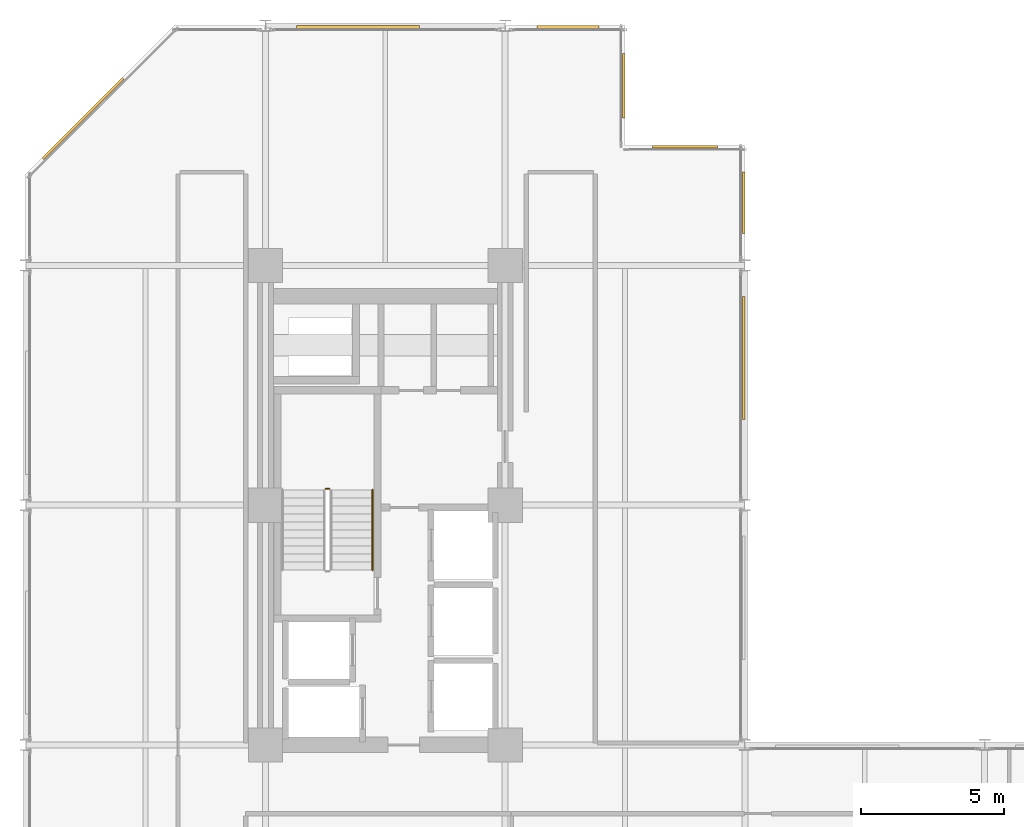
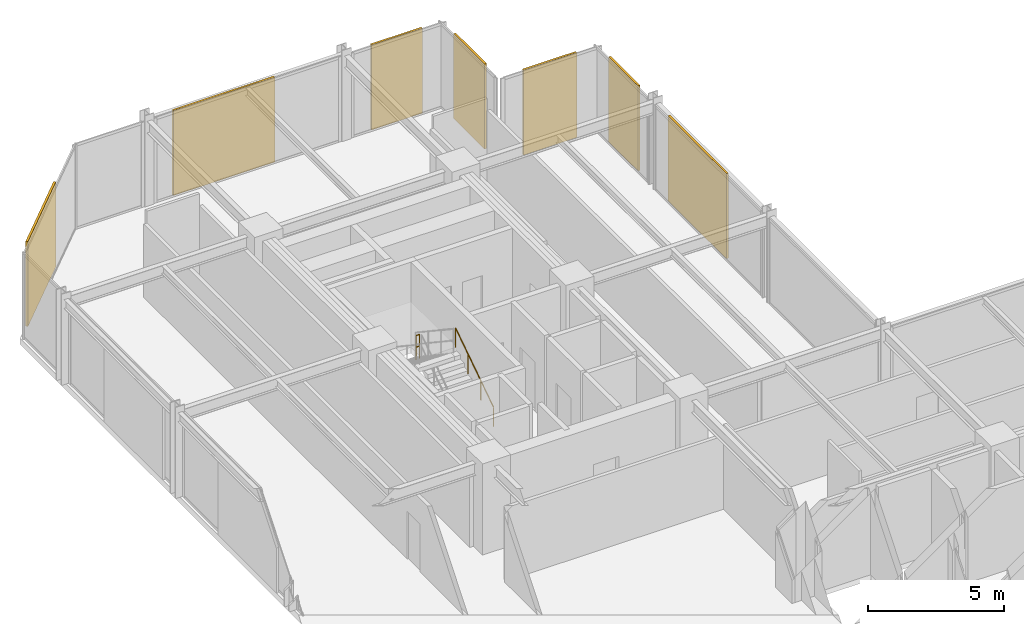
# One storey, part 38 of 38: 7 coverings, 2 railings.
"""IFC4 building model written with IfcOpenShell, lengths in metres."""

from ifc_helpers import new_model, si_unit, direction, frame, origin, origin_2d, place, context, subcontext, project, spatial, rectangle, circle, extrude, material, layer, layer_set, type_object, element, save


model = new_model("IFC4")

# Units and contexts
model_context = context("Model", 3, precision=1e-05, world=origin(), true_north=direction((0.0, 1.0)))
body_context = subcontext(model_context, "Body", "Model", "MODEL_VIEW")
ifc_project = project(units=[si_unit("LENGTHUNIT", "METRE"), si_unit("AREAUNIT", "SQUARE_METRE"), si_unit("VOLUMEUNIT", "CUBIC_METRE"), si_unit("PLANEANGLEUNIT", "RADIAN"), si_unit("MASSUNIT", "GRAM", prefix="KILO")], contexts=[model_context])

# Site, building, storey
site_placement = place(None, origin())
site = spatial("IfcSite", under=ifc_project, at=site_placement, CompositionType="ELEMENT")
building_placement = place(site_placement, origin())
building = spatial("IfcBuilding", under=site, at=building_placement, Name="Nerrivon Quay Data Exchange", CompositionType="ELEMENT")
storey_placement = place(building_placement, frame((0.0, 0.0, 88.5)))
storey = spatial("IfcBuildingStorey", under=building, at=storey_placement, Name="L20", CompositionType="ELEMENT", Elevation=88.5)

# Coverings
ifc_material_1 = material(Name="Architectural terracotta ceramic", Category="masonry")
ifc_layer = layer(ifc_material_1, 0.090087890625)
ifc_layer_set = layer_set([ifc_layer], Name="Architectural terracotta ceramic")
covering_type = type_object("IfcCoveringType", Name="COV-SCR-TERR", PredefinedType="CLADDING", material=ifc_layer_set)
covering_1_placement = place(storey_placement, frame((2.0078125, 47.144287109375, 0.0), z_axis=(0.0, 0.0, 1.0), x_axis=(0.707106781187, 0.707106781187, 0.0)))
element("IfcCovering", 1, at=covering_1_placement, inside=storey, type_object=covering_type, Name="L20 Perforated Terracotta SOLAR SCREEN Cassette", PredefinedType="CLADDING", context=body_context, shape_type="SweptSolid", body=[
    extrude(rectangle(XDim=3.970947265625, YDim=0.090087890625, at=origin_2d()), origin(), (0.0, 0.0, 1.0), 3.824951171875),
])
covering_2_placement = place(storey_placement, frame((11.639892578125, 50.35498046875, 0.0), z_axis=(0.0, 0.0, 1.0), x_axis=(1.0, 0.0, 0.0)))
element("IfcCovering", 2, at=covering_2_placement, inside=storey, type_object=covering_type, Name="L20 Perforated Terracotta SOLAR SCREEN Cassette", PredefinedType="CLADDING", context=body_context, shape_type="SweptSolid", body=[
    extrude(rectangle(XDim=4.320068359375, YDim=0.090087890625, at=origin_2d()), origin(), (0.0, 0.0, 1.0), 3.824951171875),
])
covering_3_placement = place(storey_placement, frame((19.0, 50.35498046875, 0.0), z_axis=(0.0, 0.0, 1.0), x_axis=(1.0, 0.0, 0.0)))
element("IfcCovering", 3, at=covering_3_placement, inside=storey, type_object=covering_type, Name="L20 Perforated Terracotta SOLAR SCREEN Cassette", PredefinedType="CLADDING", context=body_context, shape_type="SweptSolid", body=[
    extrude(rectangle(XDim=2.159912109375, YDim=0.090087890625, at=origin_2d()), origin(), (0.0, 0.0, 1.0), 3.824951171875),
])
for number, where, z_axis, x_axis, name in (
    (4, (20.955078125, 48.300048828125, 0.0), (0.0, 0.0, 1.0), (0.0, -1.0, 0.0), "L20 Perforated Terracotta SOLAR SCREEN Cassette"),
    (5, (23.10009765625, 46.155029296875, 0.0), (0.0, 0.0, 1.0), (1.0, 0.0, 0.0), "L20 Perforated Terracotta SOLAR SCREEN Cassette"),
):
    element("IfcCovering", number, at=place(storey_placement, frame(where, z_axis=z_axis, x_axis=x_axis)), inside=storey, type_object=covering_type, Name=name, PredefinedType="CLADDING", context=body_context, shape_type="SweptSolid", body=[
        extrude(rectangle(XDim=2.26806640625, YDim=0.090087890625, at=origin_2d()), origin(), (0.0, 0.0, 1.0), 3.824951171875),
    ])
covering_4_placement = place(storey_placement, frame((25.155029296875, 44.199951171875, 0.0), z_axis=(0.0, 0.0, 1.0), x_axis=(0.0, -1.0, 0.0)))
element("IfcCovering", 6, at=covering_4_placement, inside=storey, type_object=covering_type, Name="L20 Perforated Terracotta SOLAR SCREEN Cassette", PredefinedType="CLADDING", context=body_context, shape_type="SweptSolid", body=[
    extrude(rectangle(XDim=2.159912109375, YDim=0.090087890625, at=origin_2d()), origin(), (0.0, 0.0, 1.0), 3.824951171875),
])
covering_5_placement = place(storey_placement, frame((25.155029296875, 38.760009765625, 0.0), z_axis=(0.0, 0.0, 1.0), x_axis=(0.0, -1.0, 0.0)))
element("IfcCovering", 7, at=covering_5_placement, inside=storey, type_object=covering_type, Name="L20 Perforated Terracotta SOLAR SCREEN Cassette", PredefinedType="CLADDING", context=body_context, shape_type="SweptSolid", body=[
    extrude(rectangle(XDim=4.320068359375, YDim=0.090087890625, at=origin_2d()), origin(), (0.0, 0.0, 1.0), 3.824951171875),
])

# Railings
ifc_material_2 = material(Name="Steel Grade C350L0 (350 MPa)", Category="steel")
railing_type_1 = type_object("IfcRailingType", Name="RAIL-HAND-HR1", PredefinedType="HANDRAIL", material=ifc_material_2)
railing_1_placement = place(storey_placement, frame((12.14990234375, 31.330078125, 0.186279296875)))
element("IfcRailing", 8, at=railing_1_placement, inside=storey, type_object=railing_type_1, Name="L20 ST01 stair handrail 1", PredefinedType="HANDRAIL", context=body_context, shape_type="SweptSolid", body=[
    extrude(circle(Radius=0.02392578125, at=origin_2d()), frame((0.0, 0.0, 0.8759765625), z_axis=(0.0, 0.832429786209, 0.554130536094), x_axis=(-1.0, 0.0, 0.0)), (0.0, 0.0, 1.0), 3.363525390625),
    extrude(circle(Radius=0.02099609375, at=origin_2d()), origin(), (0.0, 0.0, 1.0), 0.851806640625),
    extrude(circle(Radius=0.02099609375, at=origin_2d()), frame((0.0, 0.933349609375, 0.621337890625)), (0.0, 0.0, 1.0), 0.851806640625),
    extrude(circle(Radius=0.02099609375, at=origin_2d()), frame((0.0, 1.866455078125, 1.242431640625)), (0.0, 0.0, 1.0), 0.851806640625),
    extrude(circle(Radius=0.02099609375, at=origin_2d()), frame((0.0, 2.7998046875, 1.86376953125)), (0.0, 0.0, 1.0), 0.851806640625),
])
railing_type_2 = type_object("IfcRailingType", Name="RAIL-STAIR-GR1", PredefinedType="BALUSTRADE", material=ifc_material_2)
railing_2_placement = place(storey_placement, frame((10.64990234375, 34.179931640625, 2.050048828125)))
element("IfcRailing", 9, at=railing_2_placement, inside=storey, type_object=railing_type_2, Name="L20 ST01 stair guard 2", PredefinedType="BALUSTRADE", context=body_context, shape_type="SweptSolid", body=[
    extrude(circle(Radius=0.02392578125, at=origin_2d()), frame((0.0, 0.0, 1.076171875), z_axis=(-1.0, 0.0, 0.0), x_axis=(0.0, -1.0, 0.0)), (0.0, 0.0, 1.0), 0.14990234375),
    extrude(circle(Radius=0.02392578125, at=origin_2d()), frame((0.0, 0.0, 0.550048828125), z_axis=(-1.0, 0.0, 0.0), x_axis=(0.0, -1.0, 0.0)), (0.0, 0.0, 1.0), 0.14990234375),
    extrude(circle(Radius=0.02099609375, at=origin_2d()), origin(), (0.0, 0.0, 1.0), 1.052001953125),
    extrude(circle(Radius=0.02099609375, at=origin_2d()), frame((-0.14990234375, 0.0, 0.0)), (0.0, 0.0, 1.0), 1.052001953125),
])

save(model, "model.ifc")
